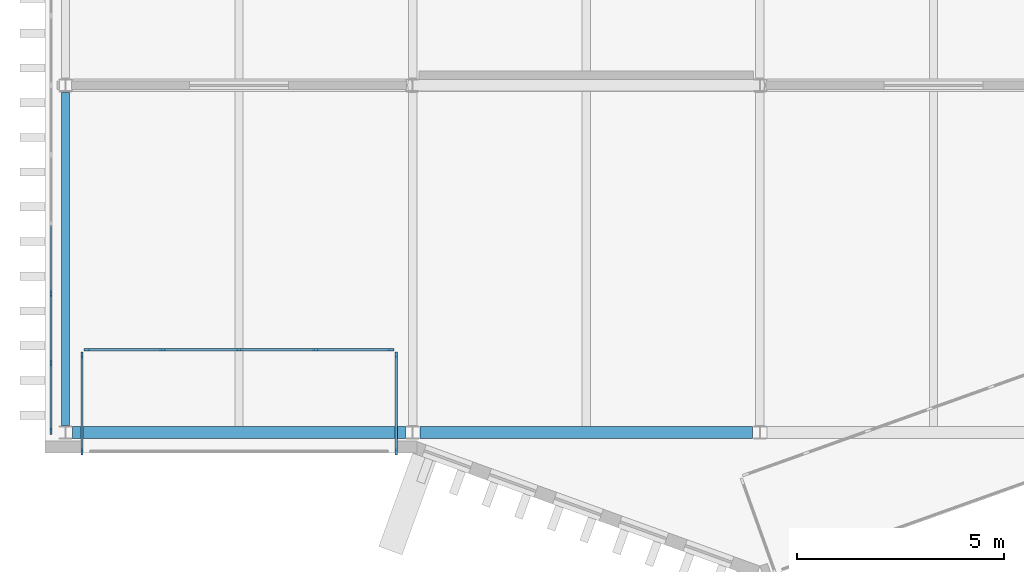
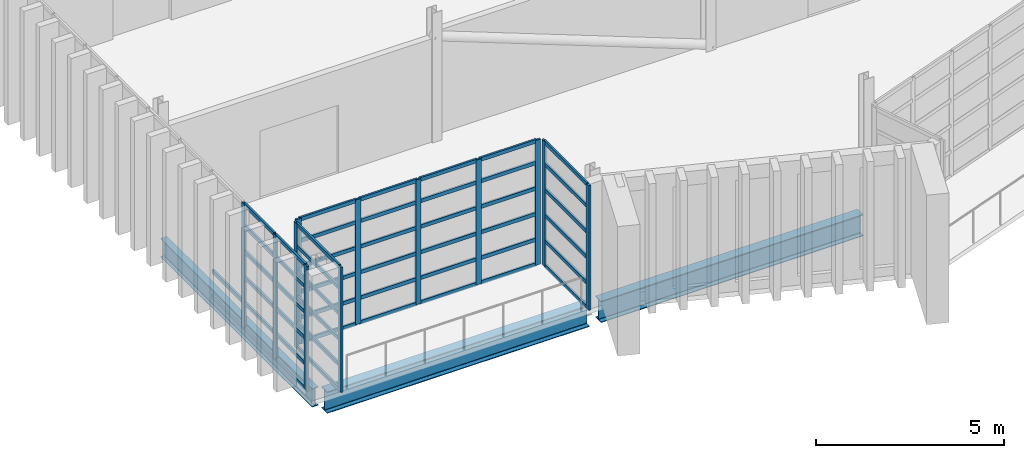
# One storey, part 11 of 100: 62 members, 3 beams, 4 elements without a shape of their own.
"""IFC4 building model written with IfcOpenShell, lengths in metres."""

from ifc_helpers import new_model, si_unit, direction, frame, origin, origin_2d, place, context, subcontext, project, spatial, rectangle, i_section, extrude, material, layer, layer_set, material_profile, profile_set, type_object, element, aggregate, save


model = new_model("IFC4")

# Units and contexts
model_context = context("Model", 3, precision=1e-05, world=origin(), true_north=direction((0.0, 1.0)))
body_context = subcontext(model_context, "Body", "Model", "MODEL_VIEW")
ifc_project = project(units=[si_unit("LENGTHUNIT", "METRE"), si_unit("AREAUNIT", "SQUARE_METRE"), si_unit("VOLUMEUNIT", "CUBIC_METRE"), si_unit("PLANEANGLEUNIT", "RADIAN"), si_unit("MASSUNIT", "GRAM", prefix="KILO")], contexts=[model_context])

# Site, building, storey
site_placement = place(None, origin())
site = spatial("IfcSite", under=ifc_project, at=site_placement, CompositionType="ELEMENT")
building_placement = place(site_placement, origin())
building = spatial("IfcBuilding", under=site, at=building_placement, Name="Cresset Court Congress Hotel", CompositionType="ELEMENT")
storey_placement = place(building_placement, frame((0.0, 0.0, 10.199951171875)))
storey = spatial("IfcBuildingStorey", under=building, at=storey_placement, Name="L02", CompositionType="ELEMENT", Elevation=10.199951171875)

# Curtain wall, members
ifc_material_1 = material(Name="Aluminium frame with double glazing", Category="aluminium")
ifc_layer = layer(ifc_material_1, 0.199951171875)
ifc_layer_set = layer_set([ifc_layer], Name="Glazed box curtain wall 1680 module")
curtain_wall_type = type_object("IfcCurtainWallType", Name="Glazed box curtain wall 1680 module", PredefinedType="NOTDEFINED", material=ifc_layer_set)
curtain_wall_1_placement = place(storey_placement, origin())
curtain_wall_1 = element("IfcCurtainWall", 1, at=curtain_wall_1_placement, inside=storey, type_object=curtain_wall_type, Name="Glazed box S0201 front", PredefinedType="NOTDEFINED")
ifc_material_2 = material(Name="Aluminium", Category="aluminium")
ifc_material_profile_1 = material_profile(ifc_material_2, rectangle(XDim=0.06005859375, YDim=0.159912109375, at=origin_2d()), Name="Box mullion 60x160")
ifc_profile_set_1 = profile_set([ifc_material_profile_1], Name="Aluminium")
member_type_1 = type_object("IfcMemberType", Name="Box mullion 60x160", PredefinedType="MULLION", material=ifc_profile_set_1)
member_1_placement = place(storey_placement, frame((8.929931640625, 2.0, 0.0), z_axis=(0.0, 0.0, 1.0), x_axis=(0.0, 1.0, 0.0)))
member_1 = element("IfcMember", 2, at=member_1_placement, type_object=member_type_1, Name="B-X1 mullion 1", PredefinedType="MULLION", context=body_context, shape_type="SweptSolid", body=[
    extrude(rectangle(XDim=0.06005859375, YDim=0.159912109375, at=origin_2d()), origin(), (0.0, 0.0, 1.0), 4.050048828125),
])
member_2_placement = place(storey_placement, frame((10.75, 2.0, 0.0), z_axis=(0.0, 0.0, 1.0), x_axis=(0.0, 1.0, 0.0)))
member_2 = element("IfcMember", 3, at=member_2_placement, type_object=member_type_1, Name="B-X1 mullion 2", PredefinedType="MULLION", context=body_context, shape_type="SweptSolid", body=[
    extrude(rectangle(XDim=0.06005859375, YDim=0.159912109375, at=origin_2d()), origin(), (0.0, 0.0, 1.0), 4.050048828125),
])
member_3_placement = place(storey_placement, frame((12.60009765625, 2.0, 0.0), z_axis=(0.0, 0.0, 1.0), x_axis=(0.0, 1.0, 0.0)))
member_3 = element("IfcMember", 4, at=member_3_placement, type_object=member_type_1, Name="B-X1 mullion 3", PredefinedType="MULLION", context=body_context, shape_type="SweptSolid", body=[
    extrude(rectangle(XDim=0.06005859375, YDim=0.159912109375, at=origin_2d()), origin(), (0.0, 0.0, 1.0), 4.050048828125),
])
member_4_placement = place(storey_placement, frame((14.449951171875, 2.0, 0.0), z_axis=(0.0, 0.0, 1.0), x_axis=(0.0, 1.0, 0.0)))
member_4 = element("IfcMember", 5, at=member_4_placement, type_object=member_type_1, Name="B-X1 mullion 4", PredefinedType="MULLION", context=body_context, shape_type="SweptSolid", body=[
    extrude(rectangle(XDim=0.06005859375, YDim=0.159912109375, at=origin_2d()), origin(), (0.0, 0.0, 1.0), 4.050048828125),
])
member_5_placement = place(storey_placement, frame((16.27001953125, 2.0, 0.0), z_axis=(0.0, 0.0, 1.0), x_axis=(0.0, 1.0, 0.0)))
member_5 = element("IfcMember", 6, at=member_5_placement, type_object=member_type_1, Name="B-X1 mullion 5", PredefinedType="MULLION", context=body_context, shape_type="SweptSolid", body=[
    extrude(rectangle(XDim=0.06005859375, YDim=0.159912109375, at=origin_2d()), origin(), (0.0, 0.0, 1.0), 4.050048828125),
])

curtain_wall_2_placement = place(storey_placement, origin())
curtain_wall_2 = element("IfcCurtainWall", 7, at=curtain_wall_2_placement, inside=storey, type_object=curtain_wall_type, Name="Glazed box S0201 side", PredefinedType="NOTDEFINED")
member_6_placement = place(storey_placement, frame((8.800048828125, -0.469970703125, 0.0), z_axis=(0.0, 0.0, 1.0), x_axis=(-1.0, 0.0, 0.0)))
member_6 = element("IfcMember", 8, at=member_6_placement, type_object=member_type_1, Name="B-X1 mullion 1", PredefinedType="MULLION", context=body_context, shape_type="SweptSolid", body=[
    extrude(rectangle(XDim=0.06005859375, YDim=0.159912109375, at=origin_2d()), origin(), (0.0, 0.0, 1.0), 4.050048828125),
])
member_7_placement = place(storey_placement, frame((8.800048828125, 1.8701171875, 0.0), z_axis=(0.0, 0.0, 1.0), x_axis=(-1.0, 0.0, 0.0)))
member_7 = element("IfcMember", 9, at=member_7_placement, type_object=member_type_1, Name="B-X1 mullion 2", PredefinedType="MULLION", context=body_context, shape_type="SweptSolid", body=[
    extrude(rectangle(XDim=0.06005859375, YDim=0.159912109375, at=origin_2d()), origin(), (0.0, 0.0, 1.0), 4.050048828125),
])

curtain_wall_3_placement = place(storey_placement, origin())
curtain_wall_3 = element("IfcCurtainWall", 10, at=curtain_wall_3_placement, inside=storey, type_object=curtain_wall_type, Name="Glazed box S0201 side", PredefinedType="NOTDEFINED")
member_8_placement = place(storey_placement, frame((16.39990234375, -0.469970703125, 0.0), z_axis=(0.0, 0.0, 1.0), x_axis=(-1.0, 0.0, 0.0)))
member_8 = element("IfcMember", 11, at=member_8_placement, type_object=member_type_1, Name="B-X1 mullion 1", PredefinedType="MULLION", context=body_context, shape_type="SweptSolid", body=[
    extrude(rectangle(XDim=0.06005859375, YDim=0.159912109375, at=origin_2d()), origin(), (0.0, 0.0, 1.0), 4.050048828125),
])
member_9_placement = place(storey_placement, frame((16.39990234375, 1.8701171875, 0.0), z_axis=(0.0, 0.0, 1.0), x_axis=(-1.0, 0.0, 0.0)))
member_9 = element("IfcMember", 12, at=member_9_placement, type_object=member_type_1, Name="B-X1 mullion 2", PredefinedType="MULLION", context=body_context, shape_type="SweptSolid", body=[
    extrude(rectangle(XDim=0.06005859375, YDim=0.159912109375, at=origin_2d()), origin(), (0.0, 0.0, 1.0), 4.050048828125),
])

curtain_wall_4_placement = place(storey_placement, origin())
curtain_wall_4 = element("IfcCurtainWall", 13, at=curtain_wall_4_placement, inside=storey, type_object=curtain_wall_type, Name="Foyer glazed front L02", PredefinedType="NOTDEFINED")
member_10_placement = place(storey_placement, frame((8.050048828125, 0.030029296875, 0.0), z_axis=(0.0, 0.0, 1.0), x_axis=(-1.0, 0.0, 0.0)))
member_10 = element("IfcMember", 14, at=member_10_placement, type_object=member_type_1, Name="B-X1 mullion 1", PredefinedType="MULLION", context=body_context, shape_type="SweptSolid", body=[
    extrude(rectangle(XDim=0.06005859375, YDim=0.159912109375, at=origin_2d()), origin(), (0.0, 0.0, 1.0), 4.050048828125),
])
member_11_placement = place(storey_placement, frame((8.050048828125, 1.679931640625, 0.0), z_axis=(0.0, 0.0, 1.0), x_axis=(-1.0, 0.0, 0.0)))
member_11 = element("IfcMember", 15, at=member_11_placement, type_object=member_type_1, Name="B-X1 mullion 2", PredefinedType="MULLION", context=body_context, shape_type="SweptSolid", body=[
    extrude(rectangle(XDim=0.06005859375, YDim=0.159912109375, at=origin_2d()), origin(), (0.0, 0.0, 1.0), 4.050048828125),
])
member_12_placement = place(storey_placement, frame((8.050048828125, 3.360107421875, 0.0), z_axis=(0.0, 0.0, 1.0), x_axis=(-1.0, 0.0, 0.0)))
member_12 = element("IfcMember", 16, at=member_12_placement, type_object=member_type_1, Name="B-X1 mullion 3", PredefinedType="MULLION", context=body_context, shape_type="SweptSolid", body=[
    extrude(rectangle(XDim=0.06005859375, YDim=0.159912109375, at=origin_2d()), origin(), (0.0, 0.0, 1.0), 4.050048828125),
])

# Member
ifc_material_3 = material(Name="Aluminium", Category="aluminium")
ifc_material_profile_2 = material_profile(ifc_material_3, rectangle(XDim=0.06005859375, YDim=0.1201171875, at=origin_2d()), Name="Box transom 60x120")
ifc_profile_set_2 = profile_set([ifc_material_profile_2], Name="Aluminium")
member_type_2 = type_object("IfcMemberType", Name="Box transom 60x120", PredefinedType="USERDEFINED", material=ifc_profile_set_2)
member_13_placement = place(storey_placement, frame((8.9599609375, 2.0, 0.030029296875), z_axis=(1.0, 0.0, 0.0), x_axis=(0.0, 1.0, 0.0)))
member_13 = element("IfcMember", 17, at=member_13_placement, type_object=member_type_2, Name="B-X1 transom 1.1", ObjectType="TRANSOM", PredefinedType="USERDEFINED", context=body_context, shape_type="SweptSolid", body=[
    extrude(rectangle(XDim=0.06005859375, YDim=0.1201171875, at=origin_2d()), origin(), (0.0, 0.0, 1.0), 1.760009765625),
])

member_14_placement = place(storey_placement, frame((8.9599609375, 2.0, 0.830078125), z_axis=(1.0, 0.0, 0.0), x_axis=(0.0, 1.0, 0.0)))
member_14 = element("IfcMember", 18, at=member_14_placement, type_object=member_type_2, Name="B-X1 transom 1.2", ObjectType="TRANSOM", PredefinedType="USERDEFINED", context=body_context, shape_type="SweptSolid", body=[
    extrude(rectangle(XDim=0.06005859375, YDim=0.1201171875, at=origin_2d()), origin(), (0.0, 0.0, 1.0), 1.760009765625),
])

member_15_placement = place(storey_placement, frame((8.9599609375, 2.0, 1.66015625), z_axis=(1.0, 0.0, 0.0), x_axis=(0.0, 1.0, 0.0)))
member_15 = element("IfcMember", 19, at=member_15_placement, type_object=member_type_2, Name="B-X1 transom 1.3", ObjectType="TRANSOM", PredefinedType="USERDEFINED", context=body_context, shape_type="SweptSolid", body=[
    extrude(rectangle(XDim=0.06005859375, YDim=0.1201171875, at=origin_2d()), origin(), (0.0, 0.0, 1.0), 1.760009765625),
])

member_16_placement = place(storey_placement, frame((8.9599609375, 2.0, 2.489990234375), z_axis=(1.0, 0.0, 0.0), x_axis=(0.0, 1.0, 0.0)))
member_16 = element("IfcMember", 20, at=member_16_placement, type_object=member_type_2, Name="B-X1 transom 1.4", ObjectType="TRANSOM", PredefinedType="USERDEFINED", context=body_context, shape_type="SweptSolid", body=[
    extrude(rectangle(XDim=0.06005859375, YDim=0.1201171875, at=origin_2d()), origin(), (0.0, 0.0, 1.0), 1.760009765625),
])

member_17_placement = place(storey_placement, frame((8.9599609375, 2.0, 3.320068359375), z_axis=(1.0, 0.0, 0.0), x_axis=(0.0, 1.0, 0.0)))
member_17 = element("IfcMember", 21, at=member_17_placement, type_object=member_type_2, Name="B-X1 transom 1.5", ObjectType="TRANSOM", PredefinedType="USERDEFINED", context=body_context, shape_type="SweptSolid", body=[
    extrude(rectangle(XDim=0.06005859375, YDim=0.1201171875, at=origin_2d()), origin(), (0.0, 0.0, 1.0), 1.760009765625),
])

member_18_placement = place(storey_placement, frame((8.9599609375, 2.0, 4.02001953125), z_axis=(1.0, 0.0, 0.0), x_axis=(0.0, 1.0, 0.0)))
member_18 = element("IfcMember", 22, at=member_18_placement, type_object=member_type_2, Name="B-X1 transom 1.6", ObjectType="TRANSOM", PredefinedType="USERDEFINED", context=body_context, shape_type="SweptSolid", body=[
    extrude(rectangle(XDim=0.06005859375, YDim=0.1201171875, at=origin_2d()), origin(), (0.0, 0.0, 1.0), 1.760009765625),
])

member_19_placement = place(storey_placement, frame((10.780029296875, 2.0, 0.030029296875), z_axis=(1.0, 0.0, 0.0), x_axis=(0.0, 1.0, 0.0)))
member_19 = element("IfcMember", 23, at=member_19_placement, type_object=member_type_2, Name="B-X1 transom 2.1", ObjectType="TRANSOM", PredefinedType="USERDEFINED", context=body_context, shape_type="SweptSolid", body=[
    extrude(rectangle(XDim=0.06005859375, YDim=0.1201171875, at=origin_2d()), origin(), (0.0, 0.0, 1.0), 1.7900390625),
])

member_20_placement = place(storey_placement, frame((10.780029296875, 2.0, 0.830078125), z_axis=(1.0, 0.0, 0.0), x_axis=(0.0, 1.0, 0.0)))
member_20 = element("IfcMember", 24, at=member_20_placement, type_object=member_type_2, Name="B-X1 transom 2.2", ObjectType="TRANSOM", PredefinedType="USERDEFINED", context=body_context, shape_type="SweptSolid", body=[
    extrude(rectangle(XDim=0.06005859375, YDim=0.1201171875, at=origin_2d()), origin(), (0.0, 0.0, 1.0), 1.7900390625),
])

member_21_placement = place(storey_placement, frame((10.780029296875, 2.0, 1.66015625), z_axis=(1.0, 0.0, 0.0), x_axis=(0.0, 1.0, 0.0)))
member_21 = element("IfcMember", 25, at=member_21_placement, type_object=member_type_2, Name="B-X1 transom 2.3", ObjectType="TRANSOM", PredefinedType="USERDEFINED", context=body_context, shape_type="SweptSolid", body=[
    extrude(rectangle(XDim=0.06005859375, YDim=0.1201171875, at=origin_2d()), origin(), (0.0, 0.0, 1.0), 1.7900390625),
])

member_22_placement = place(storey_placement, frame((10.780029296875, 2.0, 2.489990234375), z_axis=(1.0, 0.0, 0.0), x_axis=(0.0, 1.0, 0.0)))
member_22 = element("IfcMember", 26, at=member_22_placement, type_object=member_type_2, Name="B-X1 transom 2.4", ObjectType="TRANSOM", PredefinedType="USERDEFINED", context=body_context, shape_type="SweptSolid", body=[
    extrude(rectangle(XDim=0.06005859375, YDim=0.1201171875, at=origin_2d()), origin(), (0.0, 0.0, 1.0), 1.7900390625),
])

member_23_placement = place(storey_placement, frame((10.780029296875, 2.0, 3.320068359375), z_axis=(1.0, 0.0, 0.0), x_axis=(0.0, 1.0, 0.0)))
member_23 = element("IfcMember", 27, at=member_23_placement, type_object=member_type_2, Name="B-X1 transom 2.5", ObjectType="TRANSOM", PredefinedType="USERDEFINED", context=body_context, shape_type="SweptSolid", body=[
    extrude(rectangle(XDim=0.06005859375, YDim=0.1201171875, at=origin_2d()), origin(), (0.0, 0.0, 1.0), 1.7900390625),
])

member_24_placement = place(storey_placement, frame((10.780029296875, 2.0, 4.02001953125), z_axis=(1.0, 0.0, 0.0), x_axis=(0.0, 1.0, 0.0)))
member_24 = element("IfcMember", 28, at=member_24_placement, type_object=member_type_2, Name="B-X1 transom 2.6", ObjectType="TRANSOM", PredefinedType="USERDEFINED", context=body_context, shape_type="SweptSolid", body=[
    extrude(rectangle(XDim=0.06005859375, YDim=0.1201171875, at=origin_2d()), origin(), (0.0, 0.0, 1.0), 1.7900390625),
])

member_25_placement = place(storey_placement, frame((12.6298828125, 2.0, 0.030029296875), z_axis=(1.0, 0.0, 0.0), x_axis=(0.0, 1.0, 0.0)))
member_25 = element("IfcMember", 29, at=member_25_placement, type_object=member_type_2, Name="B-X1 transom 3.1", ObjectType="TRANSOM", PredefinedType="USERDEFINED", context=body_context, shape_type="SweptSolid", body=[
    extrude(rectangle(XDim=0.06005859375, YDim=0.1201171875, at=origin_2d()), origin(), (0.0, 0.0, 1.0), 1.7900390625),
])

member_26_placement = place(storey_placement, frame((12.6298828125, 2.0, 0.830078125), z_axis=(1.0, 0.0, 0.0), x_axis=(0.0, 1.0, 0.0)))
member_26 = element("IfcMember", 30, at=member_26_placement, type_object=member_type_2, Name="B-X1 transom 3.2", ObjectType="TRANSOM", PredefinedType="USERDEFINED", context=body_context, shape_type="SweptSolid", body=[
    extrude(rectangle(XDim=0.06005859375, YDim=0.1201171875, at=origin_2d()), origin(), (0.0, 0.0, 1.0), 1.7900390625),
])

member_27_placement = place(storey_placement, frame((12.6298828125, 2.0, 1.66015625), z_axis=(1.0, 0.0, 0.0), x_axis=(0.0, 1.0, 0.0)))
member_27 = element("IfcMember", 31, at=member_27_placement, type_object=member_type_2, Name="B-X1 transom 3.3", ObjectType="TRANSOM", PredefinedType="USERDEFINED", context=body_context, shape_type="SweptSolid", body=[
    extrude(rectangle(XDim=0.06005859375, YDim=0.1201171875, at=origin_2d()), origin(), (0.0, 0.0, 1.0), 1.7900390625),
])

member_28_placement = place(storey_placement, frame((12.6298828125, 2.0, 2.489990234375), z_axis=(1.0, 0.0, 0.0), x_axis=(0.0, 1.0, 0.0)))
member_28 = element("IfcMember", 32, at=member_28_placement, type_object=member_type_2, Name="B-X1 transom 3.4", ObjectType="TRANSOM", PredefinedType="USERDEFINED", context=body_context, shape_type="SweptSolid", body=[
    extrude(rectangle(XDim=0.06005859375, YDim=0.1201171875, at=origin_2d()), origin(), (0.0, 0.0, 1.0), 1.7900390625),
])

member_29_placement = place(storey_placement, frame((12.6298828125, 2.0, 3.320068359375), z_axis=(1.0, 0.0, 0.0), x_axis=(0.0, 1.0, 0.0)))
member_29 = element("IfcMember", 33, at=member_29_placement, type_object=member_type_2, Name="B-X1 transom 3.5", ObjectType="TRANSOM", PredefinedType="USERDEFINED", context=body_context, shape_type="SweptSolid", body=[
    extrude(rectangle(XDim=0.06005859375, YDim=0.1201171875, at=origin_2d()), origin(), (0.0, 0.0, 1.0), 1.7900390625),
])

member_30_placement = place(storey_placement, frame((12.6298828125, 2.0, 4.02001953125), z_axis=(1.0, 0.0, 0.0), x_axis=(0.0, 1.0, 0.0)))
member_30 = element("IfcMember", 34, at=member_30_placement, type_object=member_type_2, Name="B-X1 transom 3.6", ObjectType="TRANSOM", PredefinedType="USERDEFINED", context=body_context, shape_type="SweptSolid", body=[
    extrude(rectangle(XDim=0.06005859375, YDim=0.1201171875, at=origin_2d()), origin(), (0.0, 0.0, 1.0), 1.7900390625),
])

member_31_placement = place(storey_placement, frame((14.47998046875, 2.0, 0.030029296875), z_axis=(1.0, 0.0, 0.0), x_axis=(0.0, 1.0, 0.0)))
member_31 = element("IfcMember", 35, at=member_31_placement, type_object=member_type_2, Name="B-X1 transom 4.1", ObjectType="TRANSOM", PredefinedType="USERDEFINED", context=body_context, shape_type="SweptSolid", body=[
    extrude(rectangle(XDim=0.06005859375, YDim=0.1201171875, at=origin_2d()), origin(), (0.0, 0.0, 1.0), 1.760009765625),
])

member_32_placement = place(storey_placement, frame((14.47998046875, 2.0, 0.830078125), z_axis=(1.0, 0.0, 0.0), x_axis=(0.0, 1.0, 0.0)))
member_32 = element("IfcMember", 36, at=member_32_placement, type_object=member_type_2, Name="B-X1 transom 4.2", ObjectType="TRANSOM", PredefinedType="USERDEFINED", context=body_context, shape_type="SweptSolid", body=[
    extrude(rectangle(XDim=0.06005859375, YDim=0.1201171875, at=origin_2d()), origin(), (0.0, 0.0, 1.0), 1.760009765625),
])

member_33_placement = place(storey_placement, frame((14.47998046875, 2.0, 1.66015625), z_axis=(1.0, 0.0, 0.0), x_axis=(0.0, 1.0, 0.0)))
member_33 = element("IfcMember", 37, at=member_33_placement, type_object=member_type_2, Name="B-X1 transom 4.3", ObjectType="TRANSOM", PredefinedType="USERDEFINED", context=body_context, shape_type="SweptSolid", body=[
    extrude(rectangle(XDim=0.06005859375, YDim=0.1201171875, at=origin_2d()), origin(), (0.0, 0.0, 1.0), 1.760009765625),
])

member_34_placement = place(storey_placement, frame((14.47998046875, 2.0, 2.489990234375), z_axis=(1.0, 0.0, 0.0), x_axis=(0.0, 1.0, 0.0)))
member_34 = element("IfcMember", 38, at=member_34_placement, type_object=member_type_2, Name="B-X1 transom 4.4", ObjectType="TRANSOM", PredefinedType="USERDEFINED", context=body_context, shape_type="SweptSolid", body=[
    extrude(rectangle(XDim=0.06005859375, YDim=0.1201171875, at=origin_2d()), origin(), (0.0, 0.0, 1.0), 1.760009765625),
])

member_35_placement = place(storey_placement, frame((14.47998046875, 2.0, 3.320068359375), z_axis=(1.0, 0.0, 0.0), x_axis=(0.0, 1.0, 0.0)))
member_35 = element("IfcMember", 39, at=member_35_placement, type_object=member_type_2, Name="B-X1 transom 4.5", ObjectType="TRANSOM", PredefinedType="USERDEFINED", context=body_context, shape_type="SweptSolid", body=[
    extrude(rectangle(XDim=0.06005859375, YDim=0.1201171875, at=origin_2d()), origin(), (0.0, 0.0, 1.0), 1.760009765625),
])

member_36_placement = place(storey_placement, frame((14.47998046875, 2.0, 4.02001953125), z_axis=(1.0, 0.0, 0.0), x_axis=(0.0, 1.0, 0.0)))
member_36 = element("IfcMember", 40, at=member_36_placement, type_object=member_type_2, Name="B-X1 transom 4.6", ObjectType="TRANSOM", PredefinedType="USERDEFINED", context=body_context, shape_type="SweptSolid", body=[
    extrude(rectangle(XDim=0.06005859375, YDim=0.1201171875, at=origin_2d()), origin(), (0.0, 0.0, 1.0), 1.760009765625),
])

aggregate(curtain_wall_1, [member_1, member_2, member_3, member_4, member_5, member_13, member_14, member_15, member_16, member_17, member_18, member_19, member_20, member_21, member_22, member_23, member_24, member_25, member_26, member_27, member_28, member_29, member_30, member_31, member_32, member_33, member_34, member_35, member_36])

member_37_placement = place(storey_placement, frame((8.800048828125, -0.43994140625, 0.030029296875), z_axis=(0.0, 1.0, 0.0), x_axis=(-1.0, 0.0, 0.0)))
member_37 = element("IfcMember", 41, at=member_37_placement, type_object=member_type_2, Name="B-X1 transom 1.1", ObjectType="TRANSOM", PredefinedType="USERDEFINED", context=body_context, shape_type="SweptSolid", body=[
    extrude(rectangle(XDim=0.06005859375, YDim=0.1201171875, at=origin_2d()), origin(), (0.0, 0.0, 1.0), 2.280029296875),
])

member_38_placement = place(storey_placement, frame((8.800048828125, -0.43994140625, 0.830078125), z_axis=(0.0, 1.0, 0.0), x_axis=(-1.0, 0.0, 0.0)))
member_38 = element("IfcMember", 42, at=member_38_placement, type_object=member_type_2, Name="B-X1 transom 1.2", ObjectType="TRANSOM", PredefinedType="USERDEFINED", context=body_context, shape_type="SweptSolid", body=[
    extrude(rectangle(XDim=0.06005859375, YDim=0.1201171875, at=origin_2d()), origin(), (0.0, 0.0, 1.0), 2.280029296875),
])

member_39_placement = place(storey_placement, frame((8.800048828125, -0.43994140625, 1.66015625), z_axis=(0.0, 1.0, 0.0), x_axis=(-1.0, 0.0, 0.0)))
member_39 = element("IfcMember", 43, at=member_39_placement, type_object=member_type_2, Name="B-X1 transom 1.3", ObjectType="TRANSOM", PredefinedType="USERDEFINED", context=body_context, shape_type="SweptSolid", body=[
    extrude(rectangle(XDim=0.06005859375, YDim=0.1201171875, at=origin_2d()), origin(), (0.0, 0.0, 1.0), 2.280029296875),
])

member_40_placement = place(storey_placement, frame((8.800048828125, -0.43994140625, 2.489990234375), z_axis=(0.0, 1.0, 0.0), x_axis=(-1.0, 0.0, 0.0)))
member_40 = element("IfcMember", 44, at=member_40_placement, type_object=member_type_2, Name="B-X1 transom 1.4", ObjectType="TRANSOM", PredefinedType="USERDEFINED", context=body_context, shape_type="SweptSolid", body=[
    extrude(rectangle(XDim=0.06005859375, YDim=0.1201171875, at=origin_2d()), origin(), (0.0, 0.0, 1.0), 2.280029296875),
])

member_41_placement = place(storey_placement, frame((8.800048828125, -0.43994140625, 3.320068359375), z_axis=(0.0, 1.0, 0.0), x_axis=(-1.0, 0.0, 0.0)))
member_41 = element("IfcMember", 45, at=member_41_placement, type_object=member_type_2, Name="B-X1 transom 1.5", ObjectType="TRANSOM", PredefinedType="USERDEFINED", context=body_context, shape_type="SweptSolid", body=[
    extrude(rectangle(XDim=0.06005859375, YDim=0.1201171875, at=origin_2d()), origin(), (0.0, 0.0, 1.0), 2.280029296875),
])

member_42_placement = place(storey_placement, frame((8.800048828125, -0.43994140625, 4.02001953125), z_axis=(0.0, 1.0, 0.0), x_axis=(-1.0, 0.0, 0.0)))
member_42 = element("IfcMember", 46, at=member_42_placement, type_object=member_type_2, Name="B-X1 transom 1.6", ObjectType="TRANSOM", PredefinedType="USERDEFINED", context=body_context, shape_type="SweptSolid", body=[
    extrude(rectangle(XDim=0.06005859375, YDim=0.1201171875, at=origin_2d()), origin(), (0.0, 0.0, 1.0), 2.280029296875),
])

aggregate(curtain_wall_2, [member_6, member_7, member_37, member_38, member_39, member_40, member_41, member_42])

member_43_placement = place(storey_placement, frame((16.39990234375, -0.43994140625, 0.030029296875), z_axis=(0.0, 1.0, 0.0), x_axis=(-1.0, 0.0, 0.0)))
member_43 = element("IfcMember", 47, at=member_43_placement, type_object=member_type_2, Name="B-X1 transom 1.1", ObjectType="TRANSOM", PredefinedType="USERDEFINED", context=body_context, shape_type="SweptSolid", body=[
    extrude(rectangle(XDim=0.06005859375, YDim=0.1201171875, at=origin_2d()), origin(), (0.0, 0.0, 1.0), 2.280029296875),
])

member_44_placement = place(storey_placement, frame((16.39990234375, -0.43994140625, 0.830078125), z_axis=(0.0, 1.0, 0.0), x_axis=(-1.0, 0.0, 0.0)))
member_44 = element("IfcMember", 48, at=member_44_placement, type_object=member_type_2, Name="B-X1 transom 1.2", ObjectType="TRANSOM", PredefinedType="USERDEFINED", context=body_context, shape_type="SweptSolid", body=[
    extrude(rectangle(XDim=0.06005859375, YDim=0.1201171875, at=origin_2d()), origin(), (0.0, 0.0, 1.0), 2.280029296875),
])

member_45_placement = place(storey_placement, frame((16.39990234375, -0.43994140625, 1.66015625), z_axis=(0.0, 1.0, 0.0), x_axis=(-1.0, 0.0, 0.0)))
member_45 = element("IfcMember", 49, at=member_45_placement, type_object=member_type_2, Name="B-X1 transom 1.3", ObjectType="TRANSOM", PredefinedType="USERDEFINED", context=body_context, shape_type="SweptSolid", body=[
    extrude(rectangle(XDim=0.06005859375, YDim=0.1201171875, at=origin_2d()), origin(), (0.0, 0.0, 1.0), 2.280029296875),
])

member_46_placement = place(storey_placement, frame((16.39990234375, -0.43994140625, 2.489990234375), z_axis=(0.0, 1.0, 0.0), x_axis=(-1.0, 0.0, 0.0)))
member_46 = element("IfcMember", 50, at=member_46_placement, type_object=member_type_2, Name="B-X1 transom 1.4", ObjectType="TRANSOM", PredefinedType="USERDEFINED", context=body_context, shape_type="SweptSolid", body=[
    extrude(rectangle(XDim=0.06005859375, YDim=0.1201171875, at=origin_2d()), origin(), (0.0, 0.0, 1.0), 2.280029296875),
])

member_47_placement = place(storey_placement, frame((16.39990234375, -0.43994140625, 3.320068359375), z_axis=(0.0, 1.0, 0.0), x_axis=(-1.0, 0.0, 0.0)))
member_47 = element("IfcMember", 51, at=member_47_placement, type_object=member_type_2, Name="B-X1 transom 1.5", ObjectType="TRANSOM", PredefinedType="USERDEFINED", context=body_context, shape_type="SweptSolid", body=[
    extrude(rectangle(XDim=0.06005859375, YDim=0.1201171875, at=origin_2d()), origin(), (0.0, 0.0, 1.0), 2.280029296875),
])

member_48_placement = place(storey_placement, frame((16.39990234375, -0.43994140625, 4.02001953125), z_axis=(0.0, 1.0, 0.0), x_axis=(-1.0, 0.0, 0.0)))
member_48 = element("IfcMember", 52, at=member_48_placement, type_object=member_type_2, Name="B-X1 transom 1.6", ObjectType="TRANSOM", PredefinedType="USERDEFINED", context=body_context, shape_type="SweptSolid", body=[
    extrude(rectangle(XDim=0.06005859375, YDim=0.1201171875, at=origin_2d()), origin(), (0.0, 0.0, 1.0), 2.280029296875),
])

aggregate(curtain_wall_3, [member_8, member_9, member_43, member_44, member_45, member_46, member_47, member_48])

member_49_placement = place(storey_placement, frame((8.050048828125, 0.06005859375, 0.030029296875), z_axis=(0.0, 1.0, 0.0), x_axis=(-1.0, 0.0, 0.0)))
member_49 = element("IfcMember", 53, at=member_49_placement, type_object=member_type_2, Name="B-X1 transom 1.1", ObjectType="TRANSOM", PredefinedType="USERDEFINED", context=body_context, shape_type="SweptSolid", body=[
    extrude(rectangle(XDim=0.06005859375, YDim=0.1201171875, at=origin_2d()), origin(), (0.0, 0.0, 1.0), 1.58984375),
])

member_50_placement = place(storey_placement, frame((8.050048828125, 0.06005859375, 0.830078125), z_axis=(0.0, 1.0, 0.0), x_axis=(-1.0, 0.0, 0.0)))
member_50 = element("IfcMember", 54, at=member_50_placement, type_object=member_type_2, Name="B-X1 transom 1.2", ObjectType="TRANSOM", PredefinedType="USERDEFINED", context=body_context, shape_type="SweptSolid", body=[
    extrude(rectangle(XDim=0.06005859375, YDim=0.1201171875, at=origin_2d()), origin(), (0.0, 0.0, 1.0), 1.58984375),
])

member_51_placement = place(storey_placement, frame((8.050048828125, 0.06005859375, 1.66015625), z_axis=(0.0, 1.0, 0.0), x_axis=(-1.0, 0.0, 0.0)))
member_51 = element("IfcMember", 55, at=member_51_placement, type_object=member_type_2, Name="B-X1 transom 1.3", ObjectType="TRANSOM", PredefinedType="USERDEFINED", context=body_context, shape_type="SweptSolid", body=[
    extrude(rectangle(XDim=0.06005859375, YDim=0.1201171875, at=origin_2d()), origin(), (0.0, 0.0, 1.0), 1.58984375),
])

member_52_placement = place(storey_placement, frame((8.050048828125, 0.06005859375, 2.489990234375), z_axis=(0.0, 1.0, 0.0), x_axis=(-1.0, 0.0, 0.0)))
member_52 = element("IfcMember", 56, at=member_52_placement, type_object=member_type_2, Name="B-X1 transom 1.4", ObjectType="TRANSOM", PredefinedType="USERDEFINED", context=body_context, shape_type="SweptSolid", body=[
    extrude(rectangle(XDim=0.06005859375, YDim=0.1201171875, at=origin_2d()), origin(), (0.0, 0.0, 1.0), 1.58984375),
])

member_53_placement = place(storey_placement, frame((8.050048828125, 0.06005859375, 3.320068359375), z_axis=(0.0, 1.0, 0.0), x_axis=(-1.0, 0.0, 0.0)))
member_53 = element("IfcMember", 57, at=member_53_placement, type_object=member_type_2, Name="B-X1 transom 1.5", ObjectType="TRANSOM", PredefinedType="USERDEFINED", context=body_context, shape_type="SweptSolid", body=[
    extrude(rectangle(XDim=0.06005859375, YDim=0.1201171875, at=origin_2d()), origin(), (0.0, 0.0, 1.0), 1.58984375),
])

member_54_placement = place(storey_placement, frame((8.050048828125, 0.06005859375, 4.02001953125), z_axis=(0.0, 1.0, 0.0), x_axis=(-1.0, 0.0, 0.0)))
member_54 = element("IfcMember", 58, at=member_54_placement, type_object=member_type_2, Name="B-X1 transom 1.6", ObjectType="TRANSOM", PredefinedType="USERDEFINED", context=body_context, shape_type="SweptSolid", body=[
    extrude(rectangle(XDim=0.06005859375, YDim=0.1201171875, at=origin_2d()), origin(), (0.0, 0.0, 1.0), 1.58984375),
])

member_55_placement = place(storey_placement, frame((8.050048828125, 1.7099609375, 0.030029296875), z_axis=(0.0, 1.0, 0.0), x_axis=(-1.0, 0.0, 0.0)))
member_55 = element("IfcMember", 59, at=member_55_placement, type_object=member_type_2, Name="B-X1 transom 2.1", ObjectType="TRANSOM", PredefinedType="USERDEFINED", context=body_context, shape_type="SweptSolid", body=[
    extrude(rectangle(XDim=0.06005859375, YDim=0.1201171875, at=origin_2d()), origin(), (0.0, 0.0, 1.0), 1.6201171875),
])

member_56_placement = place(storey_placement, frame((8.050048828125, 1.7099609375, 0.830078125), z_axis=(0.0, 1.0, 0.0), x_axis=(-1.0, 0.0, 0.0)))
member_56 = element("IfcMember", 60, at=member_56_placement, type_object=member_type_2, Name="B-X1 transom 2.2", ObjectType="TRANSOM", PredefinedType="USERDEFINED", context=body_context, shape_type="SweptSolid", body=[
    extrude(rectangle(XDim=0.06005859375, YDim=0.1201171875, at=origin_2d()), origin(), (0.0, 0.0, 1.0), 1.6201171875),
])

member_57_placement = place(storey_placement, frame((8.050048828125, 1.7099609375, 1.66015625), z_axis=(0.0, 1.0, 0.0), x_axis=(-1.0, 0.0, 0.0)))
member_57 = element("IfcMember", 61, at=member_57_placement, type_object=member_type_2, Name="B-X1 transom 2.3", ObjectType="TRANSOM", PredefinedType="USERDEFINED", context=body_context, shape_type="SweptSolid", body=[
    extrude(rectangle(XDim=0.06005859375, YDim=0.1201171875, at=origin_2d()), origin(), (0.0, 0.0, 1.0), 1.6201171875),
])

member_58_placement = place(storey_placement, frame((8.050048828125, 1.7099609375, 2.489990234375), z_axis=(0.0, 1.0, 0.0), x_axis=(-1.0, 0.0, 0.0)))
member_58 = element("IfcMember", 62, at=member_58_placement, type_object=member_type_2, Name="B-X1 transom 2.4", ObjectType="TRANSOM", PredefinedType="USERDEFINED", context=body_context, shape_type="SweptSolid", body=[
    extrude(rectangle(XDim=0.06005859375, YDim=0.1201171875, at=origin_2d()), origin(), (0.0, 0.0, 1.0), 1.6201171875),
])

member_59_placement = place(storey_placement, frame((8.050048828125, 1.7099609375, 3.320068359375), z_axis=(0.0, 1.0, 0.0), x_axis=(-1.0, 0.0, 0.0)))
member_59 = element("IfcMember", 63, at=member_59_placement, type_object=member_type_2, Name="B-X1 transom 2.5", ObjectType="TRANSOM", PredefinedType="USERDEFINED", context=body_context, shape_type="SweptSolid", body=[
    extrude(rectangle(XDim=0.06005859375, YDim=0.1201171875, at=origin_2d()), origin(), (0.0, 0.0, 1.0), 1.6201171875),
])

member_60_placement = place(storey_placement, frame((8.050048828125, 1.7099609375, 4.02001953125), z_axis=(0.0, 1.0, 0.0), x_axis=(-1.0, 0.0, 0.0)))
member_60 = element("IfcMember", 64, at=member_60_placement, type_object=member_type_2, Name="B-X1 transom 2.6", ObjectType="TRANSOM", PredefinedType="USERDEFINED", context=body_context, shape_type="SweptSolid", body=[
    extrude(rectangle(XDim=0.06005859375, YDim=0.1201171875, at=origin_2d()), origin(), (0.0, 0.0, 1.0), 1.6201171875),
])

member_61_placement = place(storey_placement, frame((8.050048828125, 3.389892578125, 0.030029296875), z_axis=(0.0, 1.0, 0.0), x_axis=(-1.0, 0.0, 0.0)))
member_61 = element("IfcMember", 65, at=member_61_placement, type_object=member_type_2, Name="B-X1 transom 3.1", ObjectType="TRANSOM", PredefinedType="USERDEFINED", context=body_context, shape_type="SweptSolid", body=[
    extrude(rectangle(XDim=0.06005859375, YDim=0.1201171875, at=origin_2d()), origin(), (0.0, 0.0, 1.0), 1.6201171875),
])

member_62_placement = place(storey_placement, frame((8.050048828125, 3.389892578125, 0.830078125), z_axis=(0.0, 1.0, 0.0), x_axis=(-1.0, 0.0, 0.0)))
member_62 = element("IfcMember", 66, at=member_62_placement, type_object=member_type_2, Name="B-X1 transom 3.2", ObjectType="TRANSOM", PredefinedType="USERDEFINED", context=body_context, shape_type="SweptSolid", body=[
    extrude(rectangle(XDim=0.06005859375, YDim=0.1201171875, at=origin_2d()), origin(), (0.0, 0.0, 1.0), 1.6201171875),
])

aggregate(curtain_wall_4, [member_10, member_11, member_12, member_49, member_50, member_51, member_52, member_53, member_54, member_55, member_56, member_57, member_58, member_59, member_60, member_61, member_62])

# Beams
ifc_material_4 = material(Name="Structural steel Q355B", Category="steel")
ifc_material_profile_3 = material_profile(ifc_material_4, i_section(OverallWidth=0.199951171875, OverallDepth=0.60009765625, WebThickness=0.010986328125, FlangeThickness=0.01708984375, FilletRadius=0.012939453125, at=origin_2d()), Name="HN600x200x11x17")
ifc_profile_set_3 = profile_set([ifc_material_profile_3], Name="Structural steel Q355B")
beam_type_1 = type_object("IfcBeamType", Name="Steel beam HN600x200x11x17", PredefinedType="BEAM", material=ifc_profile_set_3)
beam_1_placement = place(storey_placement, frame((8.39990234375, 0.175048828125, -0.449951171875), z_axis=(0.0, 1.0, 0.0), x_axis=(-1.0, 0.0, 0.0)))
element("IfcBeam", 67, at=beam_1_placement, inside=storey, type_object=beam_type_1, Name="B.by.L02.02A", PredefinedType="BEAM", context=body_context, shape_type="SweptSolid", body=[
    extrude(i_section(OverallWidth=0.199951171875, OverallDepth=0.60009765625, WebThickness=0.010986328125, FlangeThickness=0.01708984375, FilletRadius=0.012939453125, at=origin_2d()), origin(), (0.0, 0.0, 1.0), 8.050048828125),
])
ifc_material_5 = material(Name="Structural steel Q355B", Category="steel")
ifc_material_profile_4 = material_profile(ifc_material_5, i_section(OverallWidth=0.300048828125, OverallDepth=0.699951171875, WebThickness=0.012939453125, FlangeThickness=0.02392578125, FilletRadius=0.01806640625, at=origin_2d()), Name="HN700x300x13x24")
ifc_profile_set_4 = profile_set([ifc_material_profile_4], Name="Structural steel Q355B")
beam_type_2 = type_object("IfcBeamType", Name="Steel beam HN700x300x13x24", PredefinedType="BEAM", material=ifc_profile_set_4)
beam_2_placement = place(storey_placement, frame((8.574951171875, 0.0, -0.5), z_axis=(1.0, 0.0, 0.0), x_axis=(0.0, 1.0, 0.0)))
element("IfcBeam", 68, at=beam_2_placement, inside=storey, type_object=beam_type_2, Name="B.bx.L02.A02", PredefinedType="BEAM", context=body_context, shape_type="SweptSolid", body=[
    extrude(i_section(OverallWidth=0.300048828125, OverallDepth=0.699951171875, WebThickness=0.012939453125, FlangeThickness=0.02392578125, FilletRadius=0.01806640625, at=origin_2d()), origin(), (0.0, 0.0, 1.0), 8.050048828125),
])
beam_3_placement = place(storey_placement, frame((16.97509765625, 0.0, -0.5), z_axis=(1.0, 0.0, 0.0), x_axis=(0.0, 1.0, 0.0)))
element("IfcBeam", 69, at=beam_3_placement, inside=storey, type_object=beam_type_2, Name="B.bx.L02.A03", PredefinedType="BEAM", context=body_context, shape_type="SweptSolid", body=[
    extrude(i_section(OverallWidth=0.300048828125, OverallDepth=0.699951171875, WebThickness=0.012939453125, FlangeThickness=0.02392578125, FilletRadius=0.01806640625, at=origin_2d()), origin(), (0.0, 0.0, 1.0), 8.0498046875),
])

save(model, "model.ifc")
